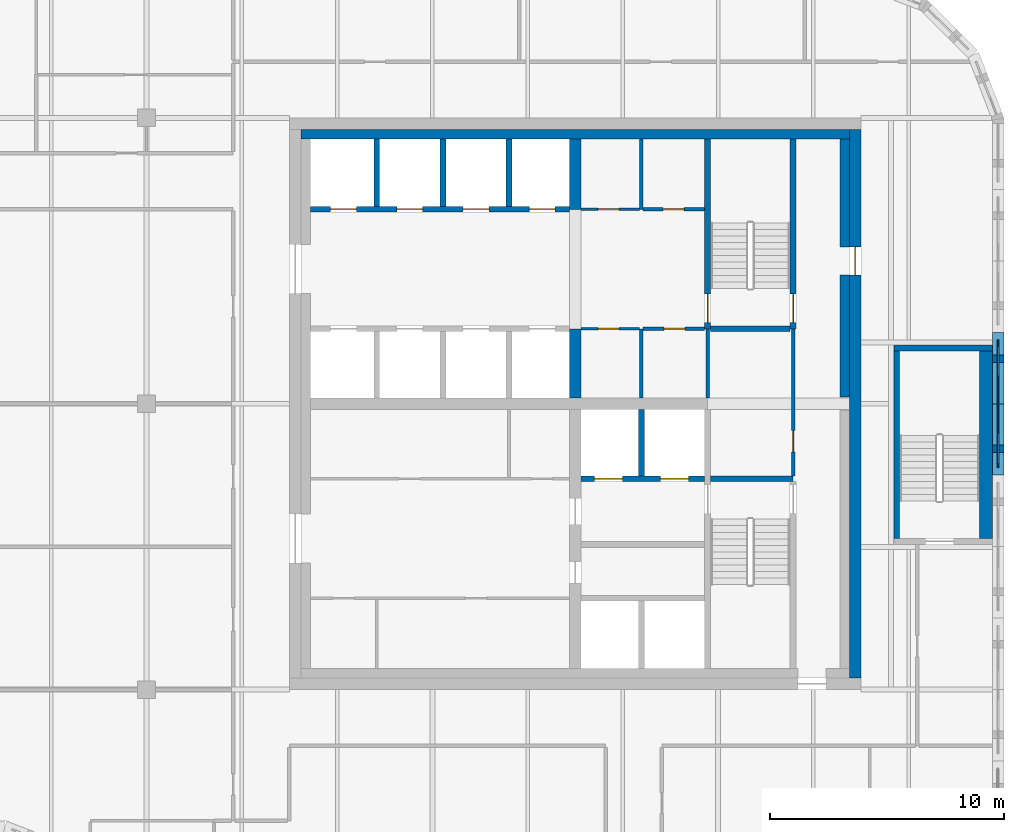
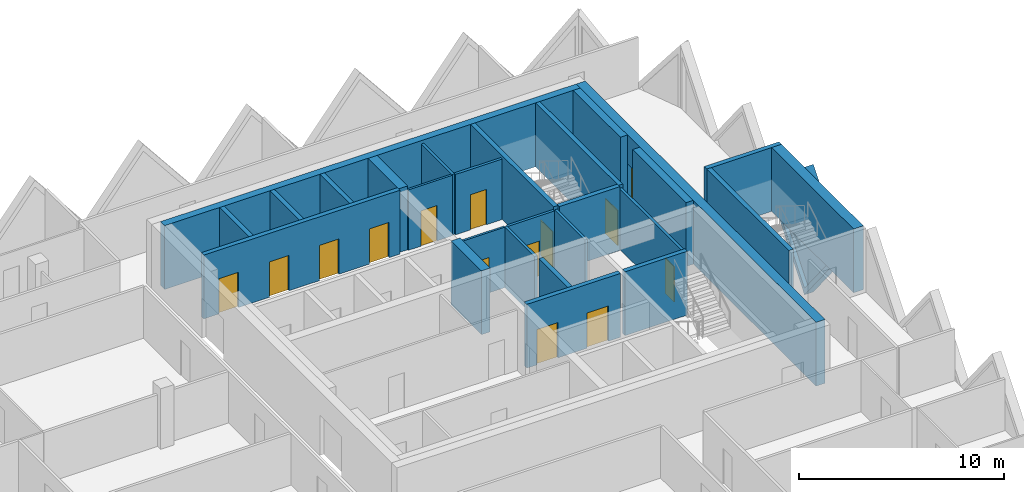
# One storey, part 9 of 12: 28 walls, 14 doors, 1 plate, 15 openings.
"""IFC4 building model written with IfcOpenShell, lengths in metres."""

from ifc_helpers import new_model, si_unit, direction, frame, frame_2d, origin, place, context, subcontext, project, spatial, polyline, rectangle, outline, extrude, faceted_brep, source, transform, mapped, material, layer, layer_set, type_object, element, fill, save


model = new_model("IFC4")

# Units and contexts
model_context = context("Model", 3, precision=1e-05, world=origin(), true_north=direction((0.0, 1.0)))
body_context = subcontext(model_context, "Body", "Model", "MODEL_VIEW")
ifc_project = project(units=[si_unit("LENGTHUNIT", "METRE"), si_unit("AREAUNIT", "SQUARE_METRE"), si_unit("VOLUMEUNIT", "CUBIC_METRE"), si_unit("PLANEANGLEUNIT", "RADIAN"), si_unit("MASSUNIT", "GRAM", prefix="KILO")], contexts=[model_context])

# Site, building, storey
site_placement = place(None, origin())
site = spatial("IfcSite", under=ifc_project, at=site_placement, CompositionType="ELEMENT")
building_placement = place(site_placement, origin())
building = spatial("IfcBuilding", under=site, at=building_placement, Name="Tessera Gate Towers", CompositionType="ELEMENT")
storey_placement = place(building_placement, frame((0.0, 0.0, 209.300048828125)))
storey = spatial("IfcBuildingStorey", under=building, at=storey_placement, Name="L52", CompositionType="ELEMENT", Elevation=209.300048828125)

# Wall, openings, doors
ifc_material_1 = material(Name="Concrete C40/50", Category="concrete")
ifc_layer_1 = layer(ifc_material_1, 0.25)
ifc_layer_set_1 = layer_set([ifc_layer_1], Name="CORE ENCLOSURE WALL 250")
wall_type_1 = type_object("IfcWallType", Name="CORE ENCLOSURE WALL 250", PredefinedType="SOLIDWALL", material=ifc_layer_set_1)
wall_1_placement = place(storey_placement, frame((42.449951171875, 44.89990234375, 0.0), z_axis=(0.0, 0.0, 1.0), x_axis=(-1.0, 0.0, 0.0)))
wall_1 = element("IfcWall", 1, at=wall_1_placement, inside=storey, type_object=wall_type_1, Name="L52 shaft and stair enclosure wall", PredefinedType="SOLIDWALL", context=body_context, shape_type="SweptSolid", body=[
    extrude(rectangle(XDim=11.050048828125, YDim=0.25, at=frame_2d((5.52490234375, 0.0))), origin(), (0.0, 0.0, 1.0), 3.800048828125),
])
shared_shape_1 = source(origin(), body_context, "Body", "SweptSolid", [
    extrude(rectangle(XDim=1.10009765625, YDim=2.10009765625, at=frame_2d((0.550048828125, 1.050048828125))), frame((0.0, 0.135009765625, 0.0), z_axis=(0.0, -1.0, 0.0), x_axis=(1.0, 0.0, 0.0)), (0.0, 0.0, 1.0), 0.27001953125),
])
opening_1_placement = place(wall_1_placement, frame((9.08740234375, 0.0, 0.0)))
opening_1 = element("IfcOpeningElement", 2, at=opening_1_placement, cuts=wall_1, Name="Opening LD-HR5", PredefinedType="OPENING", context=body_context, shape_type="MappedRepresentation", body=[
    mapped(shared_shape_1, transform((0.0, 0.0, 0.0), scale=1.0)),
])
opening_2_placement = place(wall_1_placement, frame((6.262451171875, 0.0, 0.0)))
opening_2 = element("IfcOpeningElement", 3, at=opening_2_placement, cuts=wall_1, Name="Opening LD-HR6", PredefinedType="OPENING", context=body_context, shape_type="MappedRepresentation", body=[
    mapped(shared_shape_1, transform((0.0, 0.0, 0.0), scale=1.0)),
])
opening_3_placement = place(wall_1_placement, frame((3.4375, 0.0, 0.0)))
opening_3 = element("IfcOpeningElement", 4, at=opening_3_placement, cuts=wall_1, Name="Opening LD-HR7", PredefinedType="OPENING", context=body_context, shape_type="MappedRepresentation", body=[
    mapped(shared_shape_1, transform((0.0, 0.0, 0.0), scale=1.0)),
])
opening_4_placement = place(wall_1_placement, frame((0.612548828125, 0.0, 0.0)))
opening_4 = element("IfcOpeningElement", 5, at=opening_4_placement, cuts=wall_1, Name="Opening LD-HR8", PredefinedType="OPENING", context=body_context, shape_type="MappedRepresentation", body=[
    mapped(shared_shape_1, transform((0.0, 0.0, 0.0), scale=1.0)),
])
ifc_material_2 = material(Name="Stainless steel", Category="steel")
door_type_1 = type_object("IfcDoorType", Name="CORE DOOR LD 1100x2100", OperationType="DOUBLE_DOOR_SLIDING", PredefinedType="DOOR", material=ifc_material_2)
shared_shape_2 = source(origin(), body_context, "Body", "SweptSolid", [
    extrude(rectangle(XDim=1.10009765625, YDim=2.10009765625, at=frame_2d((0.550048828125, 1.050048828125))), frame((0.0, 0.02490234375, 0.0), z_axis=(0.0, -1.0, 0.0), x_axis=(1.0, 0.0, 0.0)), (0.0, 0.0, 1.0), 0.050048828125),
])
door_1_placement = place(opening_1_placement, origin())
door_1 = element("IfcDoor", 6, at=door_1_placement, inside=storey, type_object=door_type_1, Name="Landing door HR5 L52", OperationType="DOUBLE_DOOR_SLIDING", OverallHeight=2.10009765625, OverallWidth=1.10009765625, PredefinedType="DOOR", context=body_context, shape_type="MappedRepresentation", body=[
    mapped(shared_shape_2, transform((0.0, 0.0, 0.0), scale=1.0)),
])
fill(opening_1, door_1)
door_2_placement = place(opening_2_placement, origin())
door_2 = element("IfcDoor", 7, at=door_2_placement, inside=storey, type_object=door_type_1, Name="Landing door HR6 L52", OperationType="DOUBLE_DOOR_SLIDING", OverallHeight=2.10009765625, OverallWidth=1.10009765625, PredefinedType="DOOR", context=body_context, shape_type="MappedRepresentation", body=[
    mapped(shared_shape_2, transform((0.0, 0.0, 0.0), scale=1.0)),
])
fill(opening_2, door_2)
door_3_placement = place(opening_3_placement, origin())
door_3 = element("IfcDoor", 8, at=door_3_placement, inside=storey, type_object=door_type_1, Name="Landing door HR7 L52", OperationType="DOUBLE_DOOR_SLIDING", OverallHeight=2.10009765625, OverallWidth=1.10009765625, PredefinedType="DOOR", context=body_context, shape_type="MappedRepresentation", body=[
    mapped(shared_shape_2, transform((0.0, 0.0, 0.0), scale=1.0)),
])
fill(opening_3, door_3)
door_4_placement = place(opening_4_placement, origin())
door_4 = element("IfcDoor", 9, at=door_4_placement, inside=storey, type_object=door_type_1, Name="Landing door HR8 L52", OperationType="DOUBLE_DOOR_SLIDING", OverallHeight=2.10009765625, OverallWidth=1.10009765625, PredefinedType="DOOR", context=body_context, shape_type="MappedRepresentation", body=[
    mapped(shared_shape_2, transform((0.0, 0.0, 0.0), scale=1.0)),
])
fill(opening_4, door_4)

wall_2_placement = place(storey_placement, frame((48.22509765625, 33.39990234375, 0.0), z_axis=(0.0, 0.0, 1.0), x_axis=(-1.0, 0.0, 0.0)))
wall_2 = element("IfcWall", 10, at=wall_2_placement, inside=storey, type_object=wall_type_1, Name="L52 shaft and stair enclosure wall", PredefinedType="SOLIDWALL", context=body_context, shape_type="SweptSolid", body=[
    extrude(rectangle(XDim=5.275146484375, YDim=0.25, at=frame_2d((2.6376953125, 0.0))), origin(), (0.0, 0.0, 1.0), 3.800048828125),
])
shared_shape_3 = source(origin(), body_context, "Body", "SweptSolid", [
    extrude(rectangle(XDim=1.199951171875, YDim=2.10009765625, at=frame_2d((0.60009765625, 1.050048828125))), frame((0.0, 0.135009765625, 0.0), z_axis=(0.0, -1.0, 0.0), x_axis=(1.0, 0.0, 0.0)), (0.0, 0.0, 1.0), 0.27001953125),
])
opening_5_placement = place(wall_2_placement, frame((3.512451171875, 0.0, 0.0)))
opening_5 = element("IfcOpeningElement", 11, at=opening_5_placement, cuts=wall_2, Name="Opening LD-FF1", PredefinedType="OPENING", context=body_context, shape_type="MappedRepresentation", body=[
    mapped(shared_shape_3, transform((0.0, 0.0, 0.0), scale=1.0)),
])
opening_6_placement = place(wall_2_placement, frame((0.6875, 0.0, 0.0)))
opening_6 = element("IfcOpeningElement", 12, at=opening_6_placement, cuts=wall_2, Name="Opening LD-FF2", PredefinedType="OPENING", context=body_context, shape_type="MappedRepresentation", body=[
    mapped(shared_shape_3, transform((0.0, 0.0, 0.0), scale=1.0)),
])
ifc_material_3 = material(Name="Stainless steel", Category="steel")
door_type_2 = type_object("IfcDoorType", Name="CORE DOOR LD1200 1200x2100", OperationType="DOUBLE_DOOR_SLIDING", PredefinedType="DOOR", material=ifc_material_3)
shared_shape_4 = source(origin(), body_context, "Body", "SweptSolid", [
    extrude(rectangle(XDim=1.199951171875, YDim=2.10009765625, at=frame_2d((0.60009765625, 1.050048828125))), frame((0.0, 0.02490234375, 0.0), z_axis=(0.0, -1.0, 0.0), x_axis=(1.0, 0.0, 0.0)), (0.0, 0.0, 1.0), 0.050048828125),
])
door_5_placement = place(opening_5_placement, origin())
door_5 = element("IfcDoor", 13, at=door_5_placement, inside=storey, type_object=door_type_2, Name="Landing door FF1 L52", OperationType="DOUBLE_DOOR_SLIDING", OverallHeight=2.10009765625, OverallWidth=1.199951171875, PredefinedType="DOOR", context=body_context, shape_type="MappedRepresentation", body=[
    mapped(shared_shape_4, transform((0.0, 0.0, 0.0), scale=1.0)),
])
fill(opening_5, door_5)
door_6_placement = place(opening_6_placement, origin())
door_6 = element("IfcDoor", 14, at=door_6_placement, inside=storey, type_object=door_type_2, Name="Landing door FF2 L52", OperationType="DOUBLE_DOOR_SLIDING", OverallHeight=2.10009765625, OverallWidth=1.199951171875, PredefinedType="DOOR", context=body_context, shape_type="MappedRepresentation", body=[
    mapped(shared_shape_4, transform((0.0, 0.0, 0.0), scale=1.0)),
])
fill(opening_6, door_6)

# Wall
wall_3_placement = place(storey_placement, frame((48.47509765625, 33.39990234375, 0.0), z_axis=(0.0, 0.0, 1.0), x_axis=(1.0, 0.0, 0.0)))
element("IfcWall", 15, at=wall_3_placement, inside=storey, type_object=wall_type_1, Name="L52 shaft and stair enclosure wall", PredefinedType="SOLIDWALL", context=body_context, shape_type="SweptSolid", body=[
    extrude(rectangle(XDim=3.52490234375, YDim=0.25, at=frame_2d((1.762451171875, 0.0))), origin(), (0.0, 0.0, 1.0), 3.800048828125),
])

# Wall, opening, door
wall_4_placement = place(storey_placement, frame((48.35009765625, 47.89990234375, 0.0), z_axis=(0.0, 0.0, 1.0), x_axis=(0.0, -1.0, 0.0)))
wall_4 = element("IfcWall", 16, at=wall_4_placement, inside=storey, type_object=wall_type_1, Name="L52 shaft and stair enclosure wall", PredefinedType="SOLIDWALL", context=body_context, shape_type="SweptSolid", body=[
    extrude(rectangle(XDim=8.099853515625, YDim=0.25, at=frame_2d((4.0498046875, 0.0))), origin(), (0.0, 0.0, 1.0), 3.800048828125),
])
opening_7_placement = place(wall_4_placement, frame((6.625, 0.0, 0.0)))
opening_7 = element("IfcOpeningElement", 17, at=opening_7_placement, cuts=wall_4, Name="Opening SD-ST2-1", PredefinedType="OPENING", context=body_context, shape_type="MappedRepresentation", body=[
    mapped(shared_shape_3, transform((0.0, 0.0, 0.0), scale=1.0)),
])
ifc_material_4 = material(Name="Hollow steel fire door", Category="steel")
door_type_3 = type_object("IfcDoorType", Name="CORE DOOR SD 1200x2100", OperationType="NOTDEFINED", PredefinedType="DOOR", material=ifc_material_4)
door_7_placement = place(opening_7_placement, origin())
door_7 = element("IfcDoor", 18, at=door_7_placement, inside=storey, type_object=door_type_3, Name="Stair door", OperationType="SINGLE_SWING_RIGHT", OverallHeight=2.10009765625, OverallWidth=1.199951171875, PredefinedType="DOOR", context=body_context, shape_type="MappedRepresentation", body=[
    mapped(shared_shape_4, transform((0.0, 0.0, 0.0), scale=1.0)),
])
fill(opening_7, door_7)

wall_5_placement = place(storey_placement, frame((52.0, 39.800048828125, 0.0), z_axis=(0.0, 0.0, 1.0), x_axis=(0.0, 1.0, 0.0)))
wall_5 = element("IfcWall", 19, at=wall_5_placement, inside=storey, type_object=wall_type_1, Name="L52 shaft and stair enclosure wall", PredefinedType="SOLIDWALL", context=body_context, shape_type="SweptSolid", body=[
    extrude(rectangle(XDim=8.099853515625, YDim=0.25, at=frame_2d((4.0498046875, 0.0))), origin(), (0.0, 0.0, 1.0), 3.800048828125),
])
opening_8_placement = place(wall_5_placement, frame((0.27490234375, 0.0, 0.0)))
opening_8 = element("IfcOpeningElement", 20, at=opening_8_placement, cuts=wall_5, Name="Opening SD-ST2-2", PredefinedType="OPENING", context=body_context, shape_type="MappedRepresentation", body=[
    mapped(shared_shape_3, transform((0.0, 0.0, 0.0), scale=1.0)),
])
door_8_placement = place(opening_8_placement, origin())
door_8 = element("IfcDoor", 21, at=door_8_placement, inside=storey, type_object=door_type_3, Name="Stair door", OperationType="SINGLE_SWING_LEFT", OverallHeight=2.10009765625, OverallWidth=1.199951171875, PredefinedType="DOOR", context=body_context, shape_type="MappedRepresentation", body=[
    mapped(shared_shape_4, transform((0.0, 0.0, 0.0), scale=1.0)),
])
fill(opening_8, door_8)

# Walls
wall_6_placement = place(storey_placement, frame((48.47509765625, 39.800048828125, 0.0), z_axis=(0.0, 0.0, 1.0), x_axis=(1.0, 0.0, 0.0)))
element("IfcWall", 22, at=wall_6_placement, inside=storey, type_object=wall_type_1, Name="L52 shaft and stair enclosure wall", PredefinedType="SOLIDWALL", context=body_context, shape_type="SweptSolid", body=[
    extrude(rectangle(XDim=3.39990234375, YDim=0.25, at=frame_2d((1.699951171875, 0.0))), origin(), (0.0, 0.0, 1.0), 3.800048828125),
])
wall_7_placement = place(storey_placement, frame((45.52490234375, 33.52490234375, 0.0), z_axis=(0.0, 0.0, 1.0), x_axis=(0.0, 1.0, 0.0)))
element("IfcWall", 23, at=wall_7_placement, inside=storey, type_object=wall_type_1, Name="L52 shaft and stair enclosure wall", PredefinedType="SOLIDWALL", context=body_context, shape_type="SweptSolid", body=[
    extrude(rectangle(XDim=2.8251953125, YDim=0.25, at=frame_2d((1.41259765625, 0.0))), origin(), (0.0, 0.0, 1.0), 3.800048828125),
])
for number, where, z_axis, x_axis, name in (
    (24, (34.22509765625, 45.02490234375, 0.0), (0.0, 0.0, 1.0), (0.0, 1.0, 0.0), "L52 shaft and stair enclosure wall"),
    (25, (37.050048828125, 45.02490234375, 0.0), (0.0, 0.0, 1.0), (0.0, 1.0, 0.0), "L52 shaft and stair enclosure wall"),
    (26, (39.875, 45.02490234375, 0.0), (0.0, 0.0, 1.0), (0.0, 1.0, 0.0), "L52 shaft and stair enclosure wall"),
):
    element("IfcWall", number, at=place(storey_placement, frame(where, z_axis=z_axis, x_axis=x_axis)), inside=storey, type_object=wall_type_1, Name=name, PredefinedType="SOLIDWALL", context=body_context, shape_type="SweptSolid", body=[
        extrude(rectangle(XDim=2.875, YDim=0.25, at=frame_2d((1.4375, 0.0))), origin(), (0.0, 0.0, 1.0), 3.800048828125),
    ])
wall_8_placement = place(storey_placement, frame((56.425048828125, 30.85009765625, 0.0), z_axis=(0.0, 0.0, 1.0), x_axis=(0.0, 1.0, 0.0)))
element("IfcWall", 27, at=wall_8_placement, inside=storey, type_object=wall_type_1, Name="L52 ST5 enclosure wall", PredefinedType="SOLIDWALL", context=body_context, shape_type="SweptSolid", body=[
    extrude(rectangle(XDim=8.0, YDim=0.25, at=frame_2d((4.0, 0.0))), origin(), (0.0, 0.0, 1.0), 3.800048828125),
])
wall_9_placement = place(storey_placement, frame((56.300048828125, 38.97509765625, 0.0), z_axis=(0.0, 0.0, 1.0), x_axis=(1.0, 0.0, 0.0)))
element("IfcWall", 28, at=wall_9_placement, inside=storey, type_object=wall_type_1, Name="L52 ST5 enclosure wall", PredefinedType="SOLIDWALL", context=body_context, shape_type="SweptSolid", body=[
    extrude(rectangle(XDim=4.199951171875, YDim=0.25, at=frame_2d((2.10009765625, 0.0))), origin(), (0.0, 0.0, 1.0), 3.800048828125),
])
ifc_material_5 = material(Name="Concrete C40/50", Category="concrete")
ifc_layer_2 = layer(ifc_material_5, 0.550048828125)
ifc_layer_set_2 = layer_set([ifc_layer_2], Name="CORE ENCLOSURE WALL 550")
wall_type_2 = type_object("IfcWallType", Name="CORE ENCLOSURE WALL 550", PredefinedType="SOLIDWALL", material=ifc_layer_set_2)
wall_10_placement = place(storey_placement, frame((60.22509765625, 38.85009765625, 0.0), z_axis=(0.0, 0.0, 1.0), x_axis=(0.0, -1.0, 0.0)))
element("IfcWall", 29, at=wall_10_placement, inside=storey, type_object=wall_type_2, Name="L52 ST5 enclosure wall", PredefinedType="SOLIDWALL", context=body_context, shape_type="SweptSolid", body=[
    extrude(rectangle(XDim=8.0, YDim=0.550048828125, at=frame_2d((4.0, 0.0))), origin(), (0.0, 0.0, 1.0), 3.800048828125),
])

# Wall, opening, door
ifc_material_6 = material(Name="Gypsum board on steel studs", Category="steel")
ifc_layer_3 = layer(ifc_material_6, 0.1201171875)
ifc_layer_set_3 = layer_set([ifc_layer_3], Name="CORE PARTITION 120")
wall_type_3 = type_object("IfcWallType", Name="CORE PARTITION 120", PredefinedType="PARTITIONING", material=ifc_layer_set_3)
wall_11_placement = place(storey_placement, frame((45.449951171875, 39.800048828125, 0.0), z_axis=(0.0, 0.0, 1.0), x_axis=(-1.0, 0.0, 0.0)))
wall_11 = element("IfcWall", 30, at=wall_11_placement, inside=storey, type_object=wall_type_3, Name="L52 core partition", PredefinedType="PARTITIONING", context=body_context, shape_type="SweptSolid", body=[
    extrude(rectangle(XDim=2.5, YDim=0.1201171875, at=frame_2d((1.25, 0.0))), origin(), (0.0, 0.0, 1.0), 3.599853515625),
])
shared_shape_5 = source(origin(), body_context, "Body", "SweptSolid", [
    extrude(rectangle(XDim=0.89990234375, YDim=2.10009765625, at=frame_2d((0.449951171875, 1.050048828125))), frame((0.0, 0.070068359375, 0.0), z_axis=(0.0, -1.0, 0.0), x_axis=(1.0, 0.0, 0.0)), (0.0, 0.0, 1.0), 0.14013671875),
])
opening_9_placement = place(wall_11_placement, frame((0.887451171875, 0.0, 0.0)))
opening_9 = element("IfcOpeningElement", 31, at=opening_9_placement, cuts=wall_11, Name="Opening RD-T1-32-12", PredefinedType="OPENING", context=body_context, shape_type="MappedRepresentation", body=[
    mapped(shared_shape_5, transform((0.0, 0.0, 0.0), scale=1.0)),
])
ifc_material_7 = material(Name="Hollow steel fire door", Category="steel")
door_type_4 = type_object("IfcDoorType", Name="CORE DOOR RD 900x2100", OperationType="NOTDEFINED", PredefinedType="DOOR", material=ifc_material_7)
shared_shape_6 = source(origin(), body_context, "Body", "SweptSolid", [
    extrude(rectangle(XDim=0.89990234375, YDim=2.10009765625, at=frame_2d((0.449951171875, 1.050048828125))), frame((0.0, 0.02490234375, 0.0), z_axis=(0.0, -1.0, 0.0), x_axis=(1.0, 0.0, 0.0)), (0.0, 0.0, 1.0), 0.050048828125),
])
door_9_placement = place(opening_9_placement, origin())
door_9 = element("IfcDoor", 32, at=door_9_placement, inside=storey, type_object=door_type_4, Name="Core room door", OperationType="SINGLE_SWING_RIGHT", OverallHeight=2.10009765625, OverallWidth=0.89990234375, PredefinedType="DOOR", context=body_context, shape_type="MappedRepresentation", body=[
    mapped(shared_shape_6, transform((0.0, 0.0, 0.0), scale=1.0)),
])
fill(opening_9, door_9)

wall_12_placement = place(storey_placement, frame((42.949951171875, 44.89990234375, 0.0), z_axis=(0.0, 0.0, 1.0), x_axis=(1.0, 0.0, 0.0)))
wall_12 = element("IfcWall", 33, at=wall_12_placement, inside=storey, type_object=wall_type_3, Name="L52 core partition", PredefinedType="PARTITIONING", context=body_context, shape_type="SweptSolid", body=[
    extrude(rectangle(XDim=2.5, YDim=0.1201171875, at=frame_2d((1.25, 0.0))), origin(), (0.0, 0.0, 1.0), 3.599853515625),
])
opening_10_placement = place(wall_12_placement, frame((0.71240234375, 0.0, 0.0)))
opening_10 = element("IfcOpeningElement", 34, at=opening_10_placement, cuts=wall_12, Name="Opening RD-T1-32-14", PredefinedType="OPENING", context=body_context, shape_type="MappedRepresentation", body=[
    mapped(shared_shape_5, transform((0.0, 0.0, 0.0), scale=1.0)),
])
door_10_placement = place(opening_10_placement, origin())
door_10 = element("IfcDoor", 35, at=door_10_placement, inside=storey, type_object=door_type_4, Name="Core room door", OperationType="SINGLE_SWING_LEFT", OverallHeight=2.10009765625, OverallWidth=0.89990234375, PredefinedType="DOOR", context=body_context, shape_type="MappedRepresentation", body=[
    mapped(shared_shape_6, transform((0.0, 0.0, 0.0), scale=1.0)),
])
fill(opening_10, door_10)

ifc_material_8 = material(Name="Concrete C50/60", Category="concrete")
ifc_layer_4 = layer(ifc_material_8, 0.5)
ifc_layer_set_4 = layer_set([ifc_layer_4], Name="CORE SHEAR WALL 500 C50/60")
wall_type_4 = type_object("IfcWallType", Name="CORE SHEAR WALL 500 C50/60", PredefinedType="SHEAR", material=ifc_layer_set_4)
wall_13_placement = place(storey_placement, frame((54.64990234375, 48.300048828125, 0.0), z_axis=(0.0, 0.0, 1.0), x_axis=(0.0, -1.0, 0.0)))
wall_13 = element("IfcWall", 36, at=wall_13_placement, inside=storey, type_object=wall_type_4, Name="Core wall E L52", PredefinedType="SHEAR", context=body_context, shape_type="SweptSolid", body=[
    extrude(rectangle(XDim=23.400146484375, YDim=0.5, at=frame_2d((11.7001953125, 0.0))), origin(), (0.0, 0.0, 1.0), 3.800048828125),
])
shared_shape_7 = source(origin(), body_context, "Body", "SweptSolid", [
    extrude(rectangle(XDim=1.199951171875, YDim=2.10009765625, at=frame_2d((0.60009765625, 1.050048828125))), frame((0.0, 0.260009765625, 0.0), z_axis=(0.0, -1.0, 0.0), x_axis=(1.0, 0.0, 0.0)), (0.0, 0.0, 1.0), 0.52001953125),
])
opening_11_placement = place(wall_13_placement, frame((5.0, 0.0, 0.0)))
opening_11 = element("IfcOpeningElement", 37, at=opening_11_placement, cuts=wall_13, Name="Opening ED-T1-32-04", PredefinedType="OPENING", context=body_context, shape_type="MappedRepresentation", body=[
    mapped(shared_shape_7, transform((0.0, 0.0, 0.0), scale=1.0)),
])
ifc_material_9 = material(Name="Hollow steel fire door", Category="steel")
door_type_5 = type_object("IfcDoorType", Name="CORE DOOR ED 1200x2100", OperationType="NOTDEFINED", PredefinedType="DOOR", material=ifc_material_9)
door_11_placement = place(opening_11_placement, origin())
door_11 = element("IfcDoor", 38, at=door_11_placement, inside=storey, type_object=door_type_5, Name="Core exit door", OperationType="SINGLE_SWING_LEFT", OverallHeight=2.10009765625, OverallWidth=1.199951171875, PredefinedType="DOOR", context=body_context, shape_type="MappedRepresentation", body=[
    mapped(shared_shape_4, transform((0.0, 0.0, 0.0), scale=1.0)),
])
fill(opening_11, door_11)

# Walls
ifc_material_10 = material(Name="Concrete C50/60", Category="concrete")
ifc_layer_5 = layer(ifc_material_10, 0.5)
ifc_layer_set_5 = layer_set([ifc_layer_5], Name="CORE SPINE WALL 500 C50/60")
wall_type_5 = type_object("IfcWallType", Name="CORE SPINE WALL 500 C50/60", PredefinedType="SHEAR", material=ifc_layer_set_5)
wall_14_placement = place(storey_placement, frame((42.699951171875, 36.85009765625, 0.0), z_axis=(0.0, 0.0, 1.0), x_axis=(0.0, 1.0, 0.0)))
element("IfcWall", 39, at=wall_14_placement, inside=storey, type_object=wall_type_5, Name="Core wall spine L52", PredefinedType="SHEAR", context=body_context, shape_type="SweptSolid", body=[
    extrude(rectangle(XDim=2.949951171875, YDim=0.5, at=frame_2d((1.47509765625, 0.0))), origin(), (0.0, 0.0, 1.0), 3.800048828125),
])
wall_15_placement = place(storey_placement, frame((42.699951171875, 44.89990234375, 0.0), z_axis=(0.0, 0.0, 1.0), x_axis=(0.0, 1.0, 0.0)))
element("IfcWall", 40, at=wall_15_placement, inside=storey, type_object=wall_type_5, Name="Core wall spine L52", PredefinedType="SHEAR", context=body_context, shape_type="SweptSolid", body=[
    extrude(rectangle(XDim=3.0, YDim=0.5, at=frame_2d((1.5, 0.0))), origin(), (0.0, 0.0, 1.0), 3.800048828125),
])
ifc_material_11 = material(Name="Concrete C50/60", Category="concrete")
ifc_layer_6 = layer(ifc_material_11, 0.39990234375)
ifc_layer_set_6 = layer_set([ifc_layer_6], Name="CORE WALL THICKENING 400")
wall_type_6 = type_object("IfcWallType", Name="CORE WALL THICKENING 400", PredefinedType="SOLIDWALL", material=ifc_layer_set_6)
wall_16_placement = place(storey_placement, frame((31.0, 48.10009765625, 0.0), z_axis=(0.0, 0.0, 1.0), x_axis=(1.0, 0.0, 0.0)))
element("IfcWall", 41, at=wall_16_placement, inside=storey, type_object=wall_type_6, Name="Core wall thickening N L52", PredefinedType="SOLIDWALL", context=body_context, shape_type="SweptSolid", body=[
    extrude(rectangle(XDim=23.39990234375, YDim=0.39990234375, at=frame_2d((11.699951171875, 0.0))), origin(), (0.0, 0.0, 1.0), 3.800048828125),
])
wall_17_placement = place(storey_placement, frame((54.199951171875, 36.8798828125, 0.0), z_axis=(0.0, 0.0, 1.0), x_axis=(0.0, 1.0, 0.0)))
element("IfcWall", 42, at=wall_17_placement, inside=storey, type_object=wall_type_6, Name="Core wall thickening E L52", PredefinedType="SOLIDWALL", context=body_context, shape_type="SweptSolid", body=[
    extrude(rectangle(XDim=5.22021484375, YDim=0.39990234375, at=frame_2d((2.610107421875, 0.0))), origin(), (0.0, 0.0, 1.0), 3.800048828125),
])
wall_18_placement = place(storey_placement, frame((54.199951171875, 43.300048828125, 0.0), z_axis=(0.0, 0.0, 1.0), x_axis=(0.0, 1.0, 0.0)))
element("IfcWall", 43, at=wall_18_placement, inside=storey, type_object=wall_type_6, Name="Core wall thickening E L52", PredefinedType="SOLIDWALL", context=body_context, shape_type="SweptSolid", body=[
    extrude(rectangle(XDim=4.599853515625, YDim=0.39990234375, at=frame_2d((2.2998046875, 0.0))), origin(), (0.0, 0.0, 1.0), 3.800048828125),
])

# Wall, opening, door
ifc_material_12 = material(Name="Gypsum board on steel studs", Category="steel")
ifc_layer_7 = layer(ifc_material_12, 0.14990234375)
ifc_layer_set_7 = layer_set([ifc_layer_7], Name="SERVICE ROOM WALL 150")
wall_type_7 = type_object("IfcWallType", Name="SERVICE ROOM WALL 150", PredefinedType="PARTITIONING", material=ifc_layer_set_7)
wall_19_placement = place(storey_placement, frame((52.0, 33.52490234375, 0.0), z_axis=(0.0, 0.0, 1.0), x_axis=(0.0, 1.0, 0.0)))
wall_19 = element("IfcWall", 44, at=wall_19_placement, inside=storey, type_object=wall_type_7, Name="L52 service room wall", PredefinedType="PARTITIONING", context=body_context, shape_type="SweptSolid", body=[
    extrude(rectangle(XDim=6.275146484375, YDim=0.14990234375, at=frame_2d((3.1376953125, 0.0))), origin(), (0.0, 0.0, 1.0), 3.599853515625),
])
shared_shape_8 = source(origin(), body_context, "Body", "SweptSolid", [
    extrude(rectangle(XDim=0.89990234375, YDim=2.10009765625, at=frame_2d((0.449951171875, 1.050048828125))), frame((0.0, 0.0849609375, 0.0), z_axis=(0.0, -1.0, 0.0), x_axis=(1.0, 0.0, 0.0)), (0.0, 0.0, 1.0), 0.169921875),
])
opening_12_placement = place(wall_19_placement, frame((1.02490234375, 0.0, 0.0)))
opening_12 = element("IfcOpeningElement", 45, at=opening_12_placement, cuts=wall_19, Name="Opening RD-T1-32-11", PredefinedType="OPENING", context=body_context, shape_type="MappedRepresentation", body=[
    mapped(shared_shape_8, transform((0.0, 0.0, 0.0), scale=1.0)),
])
door_12_placement = place(opening_12_placement, origin())
door_12 = element("IfcDoor", 46, at=door_12_placement, inside=storey, type_object=door_type_4, Name="Core room door", OperationType="SINGLE_SWING_LEFT", OverallHeight=2.10009765625, OverallWidth=0.89990234375, PredefinedType="DOOR", context=body_context, shape_type="MappedRepresentation", body=[
    mapped(shared_shape_6, transform((0.0, 0.0, 0.0), scale=1.0)),
])
fill(opening_12, door_12)

# Walls
for number, where, z_axis, x_axis, name in (
    (47, (45.52490234375, 36.85009765625, 0.0), (0.0, 0.0, 1.0), (0.0, 1.0, 0.0), "L52 service room wall"),
    (48, (48.35009765625, 36.85009765625, 0.0), (0.0, 0.0, 1.0), (0.0, 1.0, 0.0), "L52 service room wall"),
):
    element("IfcWall", number, at=place(storey_placement, frame(where, z_axis=z_axis, x_axis=x_axis)), inside=storey, type_object=wall_type_7, Name=name, PredefinedType="PARTITIONING", context=body_context, shape_type="SweptSolid", body=[
        extrude(rectangle(XDim=2.949951171875, YDim=0.14990234375, at=frame_2d((1.47509765625, 0.0))), origin(), (0.0, 0.0, 1.0), 3.599853515625),
    ])
wall_20_placement = place(storey_placement, frame((45.52490234375, 44.89990234375, 0.0), z_axis=(0.0, 0.0, 1.0), x_axis=(0.0, 1.0, 0.0)))
element("IfcWall", 49, at=wall_20_placement, inside=storey, type_object=wall_type_7, Name="L52 service room wall", PredefinedType="PARTITIONING", context=body_context, shape_type="SweptSolid", body=[
    extrude(rectangle(XDim=3.0, YDim=0.14990234375, at=frame_2d((1.5, 0.0))), origin(), (0.0, 0.0, 1.0), 3.599853515625),
])

# Wall, opening, door
wall_21_placement = place(storey_placement, frame((48.22509765625, 39.800048828125, 0.0), z_axis=(0.0, 0.0, 1.0), x_axis=(-1.0, 0.0, 0.0)))
wall_21 = element("IfcWall", 50, at=wall_21_placement, inside=storey, type_object=wall_type_7, Name="L52 service room wall", PredefinedType="PARTITIONING", context=body_context, shape_type="SweptSolid", body=[
    extrude(rectangle(XDim=2.625, YDim=0.14990234375, at=frame_2d((1.3125, 0.0))), origin(), (0.0, 0.0, 1.0), 3.599853515625),
])
opening_13_placement = place(wall_21_placement, frame((0.83740234375, 0.0, 0.0)))
opening_13 = element("IfcOpeningElement", 51, at=opening_13_placement, cuts=wall_21, Name="Opening RD-T1-32-13", PredefinedType="OPENING", context=body_context, shape_type="MappedRepresentation", body=[
    mapped(shared_shape_8, transform((0.0, 0.0, 0.0), scale=1.0)),
])
door_13_placement = place(opening_13_placement, origin())
door_13 = element("IfcDoor", 52, at=door_13_placement, inside=storey, type_object=door_type_4, Name="Core room door", OperationType="SINGLE_SWING_LEFT", OverallHeight=2.10009765625, OverallWidth=0.89990234375, PredefinedType="DOOR", context=body_context, shape_type="MappedRepresentation", body=[
    mapped(shared_shape_6, transform((0.0, 0.0, 0.0), scale=1.0)),
])
fill(opening_13, door_13)

wall_22_placement = place(storey_placement, frame((45.60009765625, 44.89990234375, 0.0), z_axis=(0.0, 0.0, 1.0), x_axis=(1.0, 0.0, 0.0)))
wall_22 = element("IfcWall", 53, at=wall_22_placement, inside=storey, type_object=wall_type_7, Name="L52 service room wall", PredefinedType="PARTITIONING", context=body_context, shape_type="SweptSolid", body=[
    extrude(rectangle(XDim=2.625, YDim=0.14990234375, at=frame_2d((1.3125, 0.0))), origin(), (0.0, 0.0, 1.0), 3.599853515625),
])
opening_14_placement = place(wall_22_placement, frame((0.85009765625, 0.0, 0.0)))
opening_14 = element("IfcOpeningElement", 54, at=opening_14_placement, cuts=wall_22, Name="Opening RD-T1-32-15", PredefinedType="OPENING", context=body_context, shape_type="MappedRepresentation", body=[
    mapped(shared_shape_8, transform((0.0, 0.0, 0.0), scale=1.0)),
])
door_14_placement = place(opening_14_placement, origin())
door_14 = element("IfcDoor", 55, at=door_14_placement, inside=storey, type_object=door_type_4, Name="Core room door", OperationType="SINGLE_SWING_LEFT", OverallHeight=2.10009765625, OverallWidth=0.89990234375, PredefinedType="DOOR", context=body_context, shape_type="MappedRepresentation", body=[
    mapped(shared_shape_6, transform((0.0, 0.0, 0.0), scale=1.0)),
])
fill(opening_14, door_14)

# Wall, opening, plate
ifc_material_13 = material(Name="Precast concrete C60/75 white", Category="concrete")
ifc_layer_8 = layer(ifc_material_13, 0.5)
ifc_layer_set_8 = layer_set([ifc_layer_8], Name="TS1 tessera")
wall_type_8 = type_object("IfcWallType", Name="TS1 tessera", PredefinedType="SOLIDWALL", material=ifc_layer_set_8)
shared_shape_9 = source(origin(), body_context, "Body", "Brep", [
    faceted_brep([(3.050048828125, -0.25, 0.0), (6.099853515625, -0.25, 3.7998046875), (6.099853515625, -0.25, 3.80029296875), (3.050048828125, -0.25, 7.60009765625), (0.0, -0.25, 3.800048828125), (0.0, 0.25, 3.800048828125), (3.050048828125, 0.25, 7.60009765625), (6.099853515625, 0.25, 3.80029296875), (6.099853515625, 0.25, 3.7998046875), (3.050048828125, 0.25, 0.0)], [[[0, 1, 2, 3, 4]], [[5, 6, 7, 8, 9]], [[9, 8, 1, 0]], [[7, 6, 3, 2]], [[6, 5, 4, 3]], [[5, 9, 0, 4]], [[1, 8, 7, 2]]]),
])
wall_23_placement = place(storey_placement, frame((60.75, 33.550048828125, -3.800048828125), z_axis=(0.0, 0.0, 1.0), x_axis=(0.0, 1.0, 0.0)))
wall_23 = element("IfcWall", 56, at=wall_23_placement, inside=storey, type_object=wall_type_8, Name="Precast tessera T1 TS1-0905", PredefinedType="SOLIDWALL", context=body_context, shape_type="MappedRepresentation", body=[
    mapped(shared_shape_9, transform((0.0, 0.0, 0.0), scale=1.0)),
])
shared_shape_10 = source(origin(), body_context, "Body", "SweptSolid", [
    extrude(outline(polyline([(3.050048828125, 0.3994140625), (5.779541015625, 3.800048828125), (3.050048828125, 7.20068359375), (0.320556640625, 3.800048828125), (3.050048828125, 0.3994140625)])), frame((0.0, 0.260009765625, 0.0), z_axis=(0.0, -1.0, 0.0), x_axis=(1.0, 0.0, 0.0)), (0.0, 0.0, 1.0), 0.52001953125),
])
opening_15_placement = place(wall_23_placement, origin())
opening_15 = element("IfcOpeningElement", 57, at=opening_15_placement, cuts=wall_23, Name="Opening T1-PL2-1845", PredefinedType="OPENING", context=body_context, shape_type="MappedRepresentation", body=[
    mapped(shared_shape_10, transform((0.0, 0.0, 0.0), scale=1.0)),
])
ifc_material_14 = material(Name="Low-e laminated glass", Category="glass")
ifc_layer_9 = layer(ifc_material_14, 0.06005859375)
ifc_layer_set_9 = layer_set([ifc_layer_9], Name="PL2 rhombic pane")
plate_type = type_object("IfcPlateType", Name="PL2 rhombic pane", PredefinedType="SHEET", material=ifc_layer_set_9)
shared_shape_11 = source(origin(), body_context, "Body", "SweptSolid", [
    extrude(outline(polyline([(3.050048828125, 0.3994140625), (5.779541015625, 3.800048828125), (3.050048828125, 7.20068359375), (0.320556640625, 3.800048828125), (3.050048828125, 0.3994140625)])), frame((0.0, 0.030029296875, 0.0), z_axis=(0.0, -1.0, 0.0), x_axis=(1.0, 0.0, 0.0)), (0.0, 0.0, 1.0), 0.06005859375),
])
plate_placement = place(opening_15_placement, origin())
plate = element("IfcPlate", 58, at=plate_placement, inside=storey, type_object=plate_type, Name="Glass pane T1 PL2-1845", PredefinedType="SHEET", context=body_context, shape_type="MappedRepresentation", body=[
    mapped(shared_shape_11, transform((0.0, 0.0, 0.0), scale=1.0)),
])
fill(opening_15, plate)

save(model, "model.ifc")
